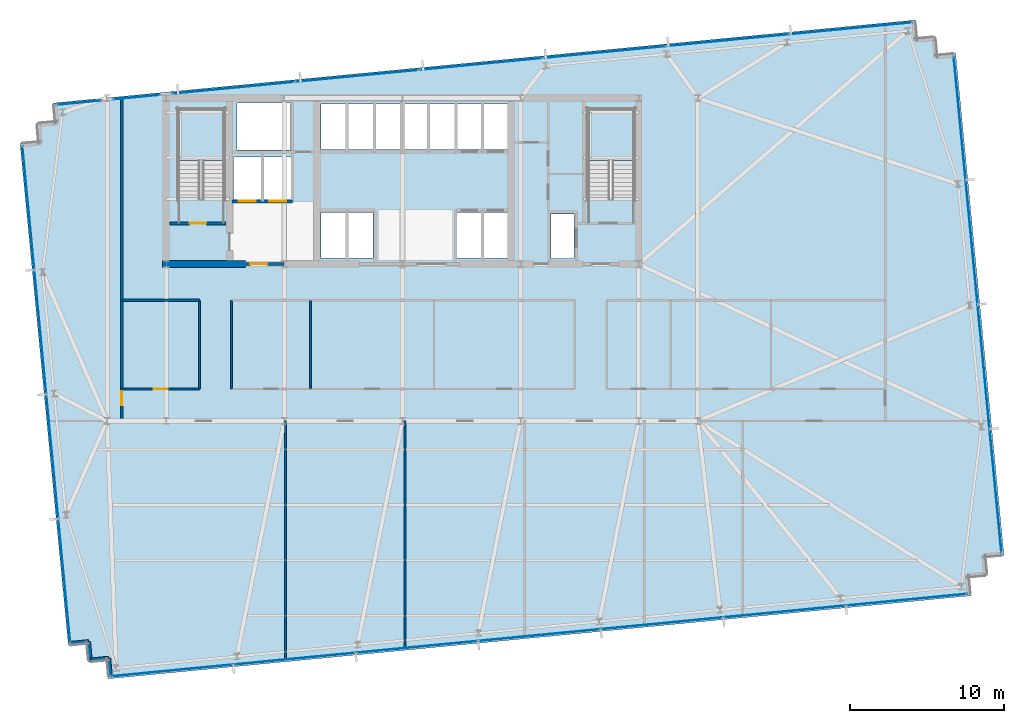
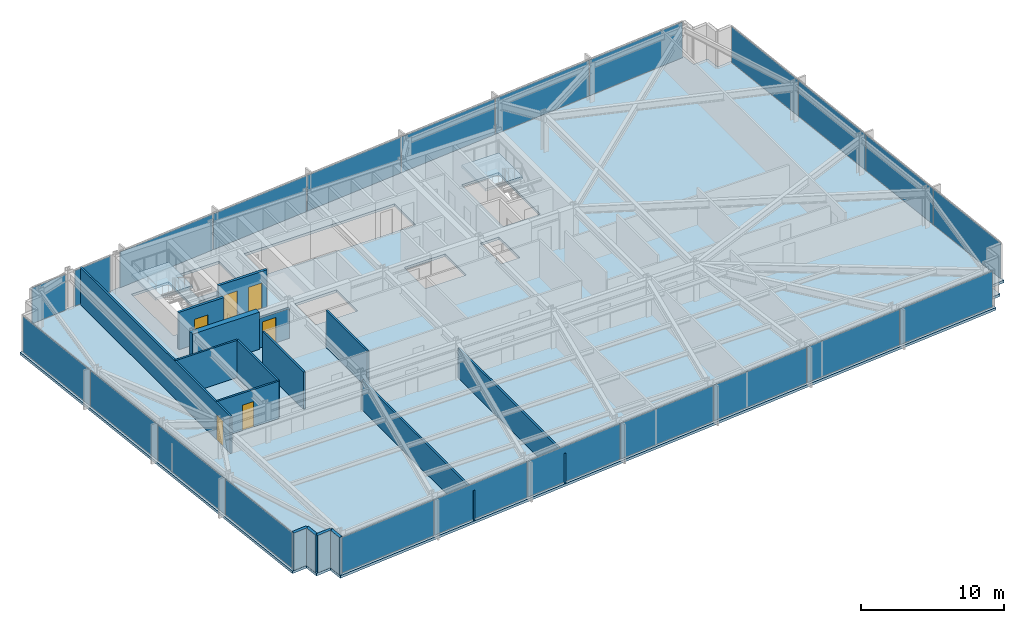
# One storey, part 24 of 32: 23 plates, 16 walls, 6 doors, 3 slabs, 6 openings, 8 elements without a shape of their own.
"""IFC4 building model written with IfcOpenShell, lengths in metres."""

from ifc_helpers import new_model, si_unit, direction, frame, frame_2d, origin, origin_2d, place, context, subcontext, project, spatial, polyline, rectangle, outline, extrude, material, layer, layer_set, type_object, element, fill, aggregate, save


model = new_model("IFC4")

# Units and contexts
model_context = context("Model", 3, precision=1e-05, world=origin(), true_north=direction((0.0, 1.0)))
body_context = subcontext(model_context, "Body", "Model", "MODEL_VIEW")
ifc_project = project(units=[si_unit("LENGTHUNIT", "METRE"), si_unit("AREAUNIT", "SQUARE_METRE"), si_unit("VOLUMEUNIT", "CUBIC_METRE"), si_unit("PLANEANGLEUNIT", "RADIAN"), si_unit("MASSUNIT", "GRAM", prefix="KILO")], contexts=[model_context])

# Site, building, storey
site_placement = place(None, origin())
site = spatial("IfcSite", under=ifc_project, at=site_placement, CompositionType="ELEMENT")
building_placement = place(site_placement, origin())
building = spatial("IfcBuilding", under=site, at=building_placement, Name="Yelkora Congress Tower", CompositionType="ELEMENT")
storey_placement = place(building_placement, frame((0.0, 0.0, 93.10009765625)))
storey = spatial("IfcBuildingStorey", under=building, at=storey_placement, Name="L24", CompositionType="ELEMENT", Elevation=93.10009765625)

# Curtain wall, plates
ifc_material_1 = material(Name="Anodised aluminium and insulated glass", Category="aluminium")
curtain_wall_type = type_object("IfcCurtainWallType", Name="CW-SYS-B2", PredefinedType="NOTDEFINED", material=ifc_material_1)
curtain_wall_1_placement = place(storey_placement, origin())
curtain_wall_1 = element("IfcCurtainWall", 1, at=curtain_wall_1_placement, inside=storey, type_object=curtain_wall_type, Name="L24 Unitised Curtain Wall 5", PredefinedType="NOTDEFINED")
ifc_material_2 = material(Name="Solar-control low-E glass unit B2", Category="glass")
ifc_layer_1 = layer(ifc_material_2, 0.0380859375)
ifc_layer_set_1 = layer_set([ifc_layer_1], Name="Solar-control low-E glass unit B2")
plate_type = type_object("IfcPlateType", Name="PLT-PN-B2", PredefinedType="CURTAIN_PANEL", material=ifc_layer_set_1)
plate_1_placement = place(storey_placement, frame((16.41650390625, 14.820068359375, 0.06494140625), z_axis=(0.0, 0.0, 1.0), x_axis=(-0.095842541913, 0.995396507508, 0.0)))
plate_1 = element("IfcPlate", 2, at=plate_1_placement, type_object=plate_type, Name="CW-B2 panel 1.1", PredefinedType="CURTAIN_PANEL", context=body_context, shape_type="SweptSolid", body=[
    extrude(rectangle(XDim=8.02490234375, YDim=0.0380859375, at=origin_2d()), origin(), (0.0, 0.0, 1.0), 3.050048828125),
])
plate_2_placement = place(storey_placement, frame((15.638916015625, 22.895263671875, 0.06494140625), z_axis=(0.0, 0.0, 1.0), x_axis=(-0.095842541913, 0.995396507508, 0.0)))
plate_2 = element("IfcPlate", 3, at=plate_2_placement, type_object=plate_type, Name="CW-B2 panel 2.1", PredefinedType="CURTAIN_PANEL", context=body_context, shape_type="SweptSolid", body=[
    extrude(rectangle(XDim=8.06005859375, YDim=0.0380859375, at=origin_2d()), origin(), (0.0, 0.0, 1.0), 3.050048828125),
])
plate_3_placement = place(storey_placement, frame((14.859619140625, 30.98779296875, 0.06494140625), z_axis=(0.0, 0.0, 1.0), x_axis=(-0.095842541913, 0.995396507508, 0.0)))
plate_3 = element("IfcPlate", 4, at=plate_3_placement, type_object=plate_type, Name="CW-B2 panel 3.1", PredefinedType="CURTAIN_PANEL", context=body_context, shape_type="SweptSolid", body=[
    extrude(rectangle(XDim=8.06005859375, YDim=0.0380859375, at=origin_2d()), origin(), (0.0, 0.0, 1.0), 3.050048828125),
])
plate_4_placement = place(storey_placement, frame((14.082275390625, 39.06298828125, 0.06494140625), z_axis=(0.0, 0.0, 1.0), x_axis=(-0.095842541913, 0.995396507508, 0.0)))
plate_4 = element("IfcPlate", 5, at=plate_4_placement, type_object=plate_type, Name="CW-B2 panel 4.1", PredefinedType="CURTAIN_PANEL", context=body_context, shape_type="SweptSolid", body=[
    extrude(rectangle(XDim=8.02490234375, YDim=0.0380859375, at=origin_2d()), origin(), (0.0, 0.0, 1.0), 3.050048828125),
])
aggregate(curtain_wall_1, [plate_1, plate_2, plate_3, plate_4])

# Curtain wall, plate
curtain_wall_2_placement = place(storey_placement, origin())
curtain_wall_2 = element("IfcCurtainWall", 6, at=curtain_wall_2_placement, inside=storey, type_object=curtain_wall_type, Name="L24 Unitised Curtain Wall 10 (1)", PredefinedType="NOTDEFINED")
plate_5_placement = place(storey_placement, frame((17.35888671875, 45.89111328125, 0.06494140625), z_axis=(0.0, 0.0, 1.0), x_axis=(0.99539681521, 0.095839346142, 0.0)))
plate_5 = element("IfcPlate", 7, at=plate_5_placement, type_object=plate_type, Name="CW-B2 panel 1.1", PredefinedType="CURTAIN_PANEL", context=body_context, shape_type="SweptSolid", body=[
    extrude(rectangle(XDim=2.89208984375, YDim=0.0380859375, at=origin_2d()), origin(), (0.0, 0.0, 1.0), 3.050048828125),
])
aggregate(curtain_wall_2, [plate_5])

curtain_wall_3_placement = place(storey_placement, origin())
curtain_wall_3 = element("IfcCurtainWall", 8, at=curtain_wall_3_placement, inside=storey, type_object=curtain_wall_type, Name="L24 Unitised Curtain Wall 10 (2)", PredefinedType="NOTDEFINED")
plate_6_placement = place(storey_placement, frame((21.1201171875, 46.253173828125, 0.06494140625), z_axis=(0.0, 0.0, 1.0), x_axis=(0.99539661748, 0.095841399764, 0.0)))
plate_6 = element("IfcPlate", 9, at=plate_6_placement, type_object=plate_type, Name="CW-B2 panel 1.1", PredefinedType="CURTAIN_PANEL", context=body_context, shape_type="SweptSolid", body=[
    extrude(rectangle(XDim=3.05078125, YDim=0.0380859375, at=origin_2d()), origin(), (0.0, 0.0, 1.0), 3.050048828125),
])
aggregate(curtain_wall_3, [plate_6])

# Curtain wall, plates
curtain_wall_4_placement = place(storey_placement, origin())
curtain_wall_4 = element("IfcCurtainWall", 10, at=curtain_wall_4_placement, inside=storey, type_object=curtain_wall_type, Name="L24 Unitised Curtain Wall 10 (3)", PredefinedType="NOTDEFINED")
plate_7_placement = place(storey_placement, frame((27.409423828125, 46.858642578125, 0.06494140625), z_axis=(0.0, 0.0, 1.0), x_axis=(0.995396344153, 0.095844238468, 0.0)))
plate_7 = element("IfcPlate", 11, at=plate_7_placement, type_object=plate_type, Name="CW-B2 panel 1.1", PredefinedType="CURTAIN_PANEL", context=body_context, shape_type="SweptSolid", body=[
    extrude(rectangle(XDim=7.97216796875, YDim=0.0380859375, at=origin_2d()), origin(), (0.0, 0.0, 1.0), 3.050048828125),
])
plate_8_placement = place(storey_placement, frame((35.431884765625, 47.631103515625, 0.06494140625), z_axis=(0.0, 0.0, 1.0), x_axis=(0.995396344153, 0.095844238468, 0.0)))
plate_8 = element("IfcPlate", 12, at=plate_8_placement, type_object=plate_type, Name="CW-B2 panel 2.1", PredefinedType="CURTAIN_PANEL", context=body_context, shape_type="SweptSolid", body=[
    extrude(rectangle(XDim=8.007080078125, YDim=0.0380859375, at=origin_2d()), origin(), (0.0, 0.0, 1.0), 3.050048828125),
])
plate_9_placement = place(storey_placement, frame((43.471923828125, 48.4052734375, 0.06494140625), z_axis=(0.0, 0.0, 1.0), x_axis=(0.995396344153, 0.095844238468, 0.0)))
plate_9 = element("IfcPlate", 13, at=plate_9_placement, type_object=plate_type, Name="CW-B2 panel 3.1", PredefinedType="CURTAIN_PANEL", context=body_context, shape_type="SweptSolid", body=[
    extrude(rectangle(XDim=8.007080078125, YDim=0.0380859375, at=origin_2d()), origin(), (0.0, 0.0, 1.0), 3.050048828125),
])
plate_10_placement = place(storey_placement, frame((51.511962890625, 49.179443359375, 0.06494140625), z_axis=(0.0, 0.0, 1.0), x_axis=(0.995396344153, 0.095844238468, 0.0)))
plate_10 = element("IfcPlate", 14, at=plate_10_placement, type_object=plate_type, Name="CW-B2 panel 4.1", PredefinedType="CURTAIN_PANEL", context=body_context, shape_type="SweptSolid", body=[
    extrude(rectangle(XDim=8.007080078125, YDim=0.0380859375, at=origin_2d()), origin(), (0.0, 0.0, 1.0), 3.050048828125),
])
plate_11_placement = place(storey_placement, frame((59.552001953125, 49.95361328125, 0.06494140625), z_axis=(0.0, 0.0, 1.0), x_axis=(0.995396344153, 0.095844238468, 0.0)))
plate_11 = element("IfcPlate", 15, at=plate_11_placement, type_object=plate_type, Name="CW-B2 panel 5.1", PredefinedType="CURTAIN_PANEL", context=body_context, shape_type="SweptSolid", body=[
    extrude(rectangle(XDim=8.007080078125, YDim=0.0380859375, at=origin_2d()), origin(), (0.0, 0.0, 1.0), 3.050048828125),
])
plate_12_placement = place(storey_placement, frame((67.574462890625, 50.72607421875, 0.06494140625), z_axis=(0.0, 0.0, 1.0), x_axis=(0.995396344153, 0.095844238468, 0.0)))
plate_12 = element("IfcPlate", 16, at=plate_12_placement, type_object=plate_type, Name="CW-B2 panel 6.1", PredefinedType="CURTAIN_PANEL", context=body_context, shape_type="SweptSolid", body=[
    extrude(rectangle(XDim=7.97216796875, YDim=0.0380859375, at=origin_2d()), origin(), (0.0, 0.0, 1.0), 3.050048828125),
])
aggregate(curtain_wall_4, [plate_7, plate_8, plate_9, plate_10, plate_11, plate_12])

curtain_wall_5_placement = place(storey_placement, origin())
curtain_wall_5 = element("IfcCurtainWall", 17, at=curtain_wall_5_placement, inside=storey, type_object=curtain_wall_type, Name="L24 Unitised Curtain Wall 15", PredefinedType="NOTDEFINED")
plate_13_placement = place(storey_placement, frame((74.6220703125, 44.892333984375, 0.06494140625), z_axis=(0.0, 0.0, 1.0), x_axis=(0.095842541913, -0.995396507508, 0.0)))
plate_13 = element("IfcPlate", 18, at=plate_13_placement, type_object=plate_type, Name="CW-B2 panel 1.1", PredefinedType="CURTAIN_PANEL", context=body_context, shape_type="SweptSolid", body=[
    extrude(rectangle(XDim=8.02490234375, YDim=0.0380859375, at=origin_2d()), origin(), (0.0, 0.0, 1.0), 3.050048828125),
])
plate_14_placement = place(storey_placement, frame((75.399658203125, 36.817138671875, 0.06494140625), z_axis=(0.0, 0.0, 1.0), x_axis=(0.095842541913, -0.995396507508, 0.0)))
plate_14 = element("IfcPlate", 19, at=plate_14_placement, type_object=plate_type, Name="CW-B2 panel 2.1", PredefinedType="CURTAIN_PANEL", context=body_context, shape_type="SweptSolid", body=[
    extrude(rectangle(XDim=8.06005859375, YDim=0.0380859375, at=origin_2d()), origin(), (0.0, 0.0, 1.0), 3.050048828125),
])
plate_15_placement = place(storey_placement, frame((76.178955078125, 28.724609375, 0.06494140625), z_axis=(0.0, 0.0, 1.0), x_axis=(0.095842541913, -0.995396507508, 0.0)))
plate_15 = element("IfcPlate", 20, at=plate_15_placement, type_object=plate_type, Name="CW-B2 panel 3.1", PredefinedType="CURTAIN_PANEL", context=body_context, shape_type="SweptSolid", body=[
    extrude(rectangle(XDim=8.06005859375, YDim=0.0380859375, at=origin_2d()), origin(), (0.0, 0.0, 1.0), 3.050048828125),
])
plate_16_placement = place(storey_placement, frame((76.95654296875, 20.6494140625, 0.06494140625), z_axis=(0.0, 0.0, 1.0), x_axis=(0.095842541913, -0.995396507508, 0.0)))
plate_16 = element("IfcPlate", 21, at=plate_16_placement, type_object=plate_type, Name="CW-B2 panel 4.1", PredefinedType="CURTAIN_PANEL", context=body_context, shape_type="SweptSolid", body=[
    extrude(rectangle(XDim=8.02490234375, YDim=0.0380859375, at=origin_2d()), origin(), (0.0, 0.0, 1.0), 3.050048828125),
])
aggregate(curtain_wall_5, [plate_13, plate_14, plate_15, plate_16])

curtain_wall_6_placement = place(storey_placement, origin())
curtain_wall_6 = element("IfcCurtainWall", 22, at=curtain_wall_6_placement, inside=storey, type_object=curtain_wall_type, Name="L24 Unitised Curtain Wall 20", PredefinedType="NOTDEFINED")
plate_17_placement = place(storey_placement, frame((71.1884765625, 13.58154296875, 0.06494140625), z_axis=(0.0, 0.0, 1.0), x_axis=(-0.995396333816, -0.095844345816, 0.0)))
plate_17 = element("IfcPlate", 23, at=plate_17_placement, type_object=plate_type, Name="CW-B2 panel 1.1", PredefinedType="CURTAIN_PANEL", context=body_context, shape_type="SweptSolid", body=[
    extrude(rectangle(XDim=7.89794921875, YDim=0.0380859375, at=origin_2d()), origin(), (0.0, 0.0, 1.0), 3.050048828125),
])
plate_18_placement = place(storey_placement, frame((63.23974609375, 12.816162109375, 0.06494140625), z_axis=(0.0, 0.0, 1.0), x_axis=(-0.995396333816, -0.095844345816, 0.0)))
plate_18 = element("IfcPlate", 24, at=plate_18_placement, type_object=plate_type, Name="CW-B2 panel 2.1", PredefinedType="CURTAIN_PANEL", context=body_context, shape_type="SweptSolid", body=[
    extrude(rectangle(XDim=7.932861328125, YDim=0.0380859375, at=origin_2d()), origin(), (0.0, 0.0, 1.0), 3.050048828125),
])
plate_19_placement = place(storey_placement, frame((55.273681640625, 12.049072265625, 0.06494140625), z_axis=(0.0, 0.0, 1.0), x_axis=(-0.995396333816, -0.095844345816, 0.0)))
plate_19 = element("IfcPlate", 25, at=plate_19_placement, type_object=plate_type, Name="CW-B2 panel 3.1", PredefinedType="CURTAIN_PANEL", context=body_context, shape_type="SweptSolid", body=[
    extrude(rectangle(XDim=7.932861328125, YDim=0.0380859375, at=origin_2d()), origin(), (0.0, 0.0, 1.0), 3.050048828125),
])
plate_20_placement = place(storey_placement, frame((47.307861328125, 11.281982421875, 0.06494140625), z_axis=(0.0, 0.0, 1.0), x_axis=(-0.995396333816, -0.095844345816, 0.0)))
plate_20 = element("IfcPlate", 26, at=plate_20_placement, type_object=plate_type, Name="CW-B2 panel 4.1", PredefinedType="CURTAIN_PANEL", context=body_context, shape_type="SweptSolid", body=[
    extrude(rectangle(XDim=7.932861328125, YDim=0.0380859375, at=origin_2d()), origin(), (0.0, 0.0, 1.0), 3.050048828125),
])
plate_21_placement = place(storey_placement, frame((39.341796875, 10.51513671875, 0.06494140625), z_axis=(0.0, 0.0, 1.0), x_axis=(-0.995396333816, -0.095844345816, 0.0)))
plate_21 = element("IfcPlate", 27, at=plate_21_placement, type_object=plate_type, Name="CW-B2 panel 5.1", PredefinedType="CURTAIN_PANEL", context=body_context, shape_type="SweptSolid", body=[
    extrude(rectangle(XDim=7.932861328125, YDim=0.0380859375, at=origin_2d()), origin(), (0.0, 0.0, 1.0), 3.050048828125),
])
plate_22_placement = place(storey_placement, frame((31.375732421875, 9.748046875, 0.06494140625), z_axis=(0.0, 0.0, 1.0), x_axis=(-0.995396333816, -0.095844345816, 0.0)))
plate_22 = element("IfcPlate", 28, at=plate_22_placement, type_object=plate_type, Name="CW-B2 panel 6.1", PredefinedType="CURTAIN_PANEL", context=body_context, shape_type="SweptSolid", body=[
    extrude(rectangle(XDim=7.932861328125, YDim=0.0380859375, at=origin_2d()), origin(), (0.0, 0.0, 1.0), 3.050048828125),
])
plate_23_placement = place(storey_placement, frame((23.42724609375, 8.982666015625, 0.06494140625), z_axis=(0.0, 0.0, 1.0), x_axis=(-0.995396333816, -0.095844345816, 0.0)))
plate_23 = element("IfcPlate", 29, at=plate_23_placement, type_object=plate_type, Name="CW-B2 panel 7.1", PredefinedType="CURTAIN_PANEL", context=body_context, shape_type="SweptSolid", body=[
    extrude(rectangle(XDim=7.89794921875, YDim=0.0380859375, at=origin_2d()), origin(), (0.0, 0.0, 1.0), 3.050048828125),
])
aggregate(curtain_wall_6, [plate_17, plate_18, plate_19, plate_20, plate_21, plate_22, plate_23])

# Stair, slab
ifc_material_3 = material(Name="Concrete C40/50", Category="concrete")
stair_type = type_object("IfcStairType", Name="STAIR-HT-1420-R20-170", PredefinedType="HALF_TURN_STAIR", material=ifc_material_3)
stair_1_placement = place(storey_placement, origin())
stair_1 = element("IfcStair", 30, at=stair_1_placement, inside=storey, type_object=stair_type, Name="West Core Protected Exit Stair ST-01 (L24)", PredefinedType="HALF_TURN_STAIR")
ifc_layer_2 = layer(ifc_material_3, 0.219970703125)
ifc_layer_set_2 = layer_set([ifc_layer_2], Name="Concrete C40/50")
slab_type_1 = type_object("IfcSlabType", Name="SLAB-LANDING-220", PredefinedType="LANDING", material=ifc_layer_set_2)
slab_1_placement = place(storey_placement, frame((0.0, 0.0, 1.47998046875)))
slab_1 = element("IfcSlab", 31, at=slab_1_placement, type_object=slab_type_1, Name="ST-01 L24 Half Landing 1", PredefinedType="LANDING", context=body_context, shape_type="SweptSolid", body=[
    extrude(outline(polyline([(26.820068359375, 42.1201171875), (26.820068359375, 45.469970703125), (23.820068359375, 45.469970703125), (23.820068359375, 42.1201171875), (26.820068359375, 42.1201171875)])), origin(), (0.0, 0.0, 1.0), 0.219970703125),
])
aggregate(stair_1, [slab_1])

stair_2_placement = place(storey_placement, origin())
stair_2 = element("IfcStair", 32, at=stair_2_placement, inside=storey, type_object=stair_type, Name="East Core Protected Exit Stair ST-02 (L24)", PredefinedType="HALF_TURN_STAIR")
slab_2_placement = place(storey_placement, frame((0.0, 0.0, 1.47998046875)))
slab_2 = element("IfcSlab", 33, at=slab_2_placement, type_object=slab_type_1, Name="ST-02 L24 Half Landing 1", PredefinedType="LANDING", context=body_context, shape_type="SweptSolid", body=[
    extrude(outline(polyline([(53.4599609375, 42.1201171875), (53.4599609375, 45.469970703125), (50.4599609375, 45.469970703125), (50.4599609375, 42.1201171875), (53.4599609375, 42.1201171875)])), origin(), (0.0, 0.0, 1.0), 0.219970703125),
])
aggregate(stair_2, [slab_2])

# Slab
ifc_layer_3 = layer(ifc_material_3, 0.219970703125)
ifc_layer_set_3 = layer_set([ifc_layer_3], Name="Concrete C40/50")
slab_type_2 = type_object("IfcSlabType", Name="SLAB-TWR-220", PredefinedType="FLOOR", material=ifc_layer_set_3)
slab_3_placement = place(storey_placement, frame((0.0, 0.0, -0.22021484375)))
element("IfcSlab", 34, at=slab_3_placement, inside=storey, type_object=slab_type_2, Name="L24 Structural Floor Slab", PredefinedType="FLOOR", context=body_context, shape_type="SweptSolid", body=[
    extrude(outline(polyline([(19.30078125, 8.444580078125), (75.341552734375, 13.8408203125), (75.2265625, 15.035400390625), (76.421142578125, 15.150390625), (76.30615234375, 16.3447265625), (77.50048828125, 16.459716796875), (74.356689453125, 49.10888671875), (73.162353515625, 48.99365234375), (73.04736328125, 50.188232421875), (71.852783203125, 50.0732421875), (71.73779296875, 51.267578125), (15.697021484375, 45.87158203125), (15.81201171875, 44.677001953125), (14.61767578125, 44.56201171875), (14.732666015625, 43.36767578125), (13.5380859375, 43.252685546875), (16.681884765625, 10.603515625), (17.876220703125, 10.718505859375), (17.9912109375, 9.524169921875), (19.185791015625, 9.63916015625), (19.30078125, 8.444580078125)]), holes=[polyline([(23.820068359375, 39.6298828125), (26.820068359375, 39.6298828125), (26.820068359375, 45.469970703125), (23.820068359375, 45.469970703125), (23.820068359375, 39.6298828125)]), polyline([(50.4599609375, 39.6298828125), (53.4599609375, 39.6298828125), (53.4599609375, 45.469970703125), (50.4599609375, 45.469970703125), (50.4599609375, 39.6298828125)]), polyline([(48.050048828125, 35.75), (49.550048828125, 35.75), (49.550048828125, 38.64990234375), (48.050048828125, 38.64990234375), (48.050048828125, 35.75)]), polyline([(41.949951171875, 35.800048828125), (45.25, 35.800048828125), (45.25, 38.75), (41.949951171875, 38.75), (41.949951171875, 35.800048828125)]), polyline([(33.10009765625, 42.85009765625), (45.25, 42.85009765625), (45.25, 45.800048828125), (33.10009765625, 45.800048828125), (33.10009765625, 42.85009765625)]), polyline([(33.10009765625, 35.800048828125), (36.5, 35.800048828125), (36.5, 38.75), (33.10009765625, 38.75), (33.10009765625, 35.800048828125)]), polyline([(27.419921875, 39.60009765625), (31.179931640625, 39.60009765625), (31.179931640625, 42.35009765625), (27.419921875, 42.35009765625), (27.419921875, 39.60009765625)]), polyline([(27.64990234375, 42.820068359375), (31.1201171875, 42.820068359375), (31.1201171875, 45.8798828125), (27.64990234375, 45.8798828125), (27.64990234375, 42.820068359375)])]), origin(), (0.0, 0.0, 1.0), 0.22021484375),
])

# Walls
ifc_material_4 = material(Name="Concrete C60/75", Category="concrete")
ifc_layer_4 = layer(ifc_material_4, 0.449951171875)
ifc_layer_set_4 = layer_set([ifc_layer_4], Name="Concrete C60/75")
wall_type_1 = type_object("IfcWallType", Name="WALL-CORE-INT-450", PredefinedType="SHEAR", material=ifc_layer_set_4)
wall_1_placement = place(storey_placement, frame((22.81494140625, 35.39990234375, 0.0), z_axis=(0.0, 0.0, 1.0), x_axis=(1.0, 0.0, 0.0)))
element("IfcWall", 35, at=wall_1_placement, inside=storey, type_object=wall_type_1, Name="L24 Rear Core South-West Shear Wall", PredefinedType="SHEAR", context=body_context, shape_type="SweptSolid", body=[
    extrude(rectangle(XDim=5.385009765625, YDim=0.449951171875, at=frame_2d((2.6923828125, 0.0))), origin(), (0.0, 0.0, 1.0), 3.179931640625),
])
ifc_layer_5 = layer(ifc_material_3, 0.239990234375)
ifc_layer_set_5 = layer_set([ifc_layer_5], Name="Concrete C40/50")
wall_type_2 = type_object("IfcWallType", Name="WALL-EXT-LIMESTONE-240", PredefinedType="SOLIDWALL", material=ifc_layer_set_5)
for number, where, z_axis, x_axis, name in (
    (36, (19.4267578125, 8.597412109375, 0.0), (0.0, 0.0, 1.0), (-0.095817067274, 0.995398960025, 0.0), "L24 Serrated Corner Limestone Pier 1"),
    (37, (19.311767578125, 9.7919921875, 0.0), (0.0, 0.0, 1.0), (-0.995398960025, -0.095817067274, 0.0), "L24 Serrated Corner Limestone Pier 2"),
):
    element("IfcWall", number, at=place(storey_placement, frame(where, z_axis=z_axis, x_axis=x_axis)), inside=storey, type_object=wall_type_2, Name=name, PredefinedType="SOLIDWALL", context=body_context, shape_type="SweptSolid", body=[
        extrude(rectangle(XDim=1.2001953125, YDim=0.239990234375, at=frame_2d((0.60009765625, 0.0))), origin(), (0.0, 0.0, 1.0), 3.179931640625),
    ])
wall_2_placement = place(storey_placement, frame((18.1171875, 9.677001953125, 0.0), z_axis=(0.0, 0.0, 1.0), x_axis=(-0.095836473879, 0.995397091755, 0.0)))
element("IfcWall", 38, at=wall_2_placement, inside=storey, type_object=wall_type_2, Name="L24 Serrated Corner Limestone Pier 3", PredefinedType="SOLIDWALL", context=body_context, shape_type="SweptSolid", body=[
    extrude(rectangle(XDim=1.199951171875, YDim=0.239990234375, at=frame_2d((0.60009765625, 0.0))), origin(), (0.0, 0.0, 1.0), 3.179931640625),
])
wall_3_placement = place(storey_placement, frame((18.002197265625, 10.871337890625, 0.0), z_axis=(0.0, 0.0, 1.0), x_axis=(-0.995398960025, -0.095817067274, 0.0)))
element("IfcWall", 39, at=wall_3_placement, inside=storey, type_object=wall_type_2, Name="L24 Serrated Corner Limestone Pier 4", PredefinedType="SOLIDWALL", context=body_context, shape_type="SweptSolid", body=[
    extrude(rectangle(XDim=1.2001953125, YDim=0.239990234375, at=frame_2d((0.60009765625, 0.0))), origin(), (0.0, 0.0, 1.0), 3.179931640625),
])
ifc_material_5 = material(Name="Acoustic metal-stud gypsum partition", Category="gypsum")
ifc_layer_6 = layer(ifc_material_5, 0.14990234375)
ifc_layer_set_6 = layer_set([ifc_layer_6], Name="Acoustic metal-stud gypsum partition")
wall_type_3 = type_object("IfcWallType", Name="WALL-INT-150-NR", PredefinedType="PARTITIONING", material=ifc_layer_set_6)
wall_4_placement = place(storey_placement, frame((30.7939453125, 9.631591796875, 0.0), z_axis=(0.0, 0.0, 1.0), x_axis=(0.0, 1.0, 0.0)))
element("IfcWall", 40, at=wall_4_placement, inside=storey, type_object=wall_type_3, Name="L24 Partition Wall 31", PredefinedType="PARTITIONING", context=body_context, shape_type="SweptSolid", body=[
    extrude(rectangle(XDim=15.58837890625, YDim=0.14990234375, at=frame_2d((7.794189453125, 0.0))), origin(), (0.0, 0.0, 1.0), 2.52490234375),
])
wall_5_placement = place(storey_placement, frame((38.56689453125, 10.380126953125, 0.0), z_axis=(0.0, 0.0, 1.0), x_axis=(0.0, 1.0, 0.0)))
element("IfcWall", 41, at=wall_5_placement, inside=storey, type_object=wall_type_3, Name="L24 Partition Wall 32", PredefinedType="PARTITIONING", context=body_context, shape_type="SweptSolid", body=[
    extrude(rectangle(XDim=14.83984375, YDim=0.14990234375, at=frame_2d((7.419921875, 0.0))), origin(), (0.0, 0.0, 1.0), 2.52490234375),
])

# Wall, opening, door
wall_6_placement = place(storey_placement, frame((20.156982421875, 25.199951171875, 0.0), z_axis=(0.0, 0.0, 1.0), x_axis=(0.0, 1.0, 0.0)))
wall_6 = element("IfcWall", 42, at=wall_6_placement, inside=storey, type_object=wall_type_3, Name="L24 Partition Wall 37", PredefinedType="PARTITIONING", context=body_context, shape_type="SweptSolid", body=[
    extrude(rectangle(XDim=21.020751953125, YDim=0.14990234375, at=frame_2d((10.51025390625, 0.0))), origin(), (0.0, 0.0, 1.0), 3.179931640625),
])
opening_1_placement = place(wall_6_placement, frame((1.030029296875, 0.0, 0.0)))
opening_1 = element("IfcOpeningElement", 43, at=opening_1_placement, cuts=wall_6, Name="Opening DR-090N", PredefinedType="OPENING", context=body_context, shape_type="SweptSolid", body=[
    extrude(rectangle(XDim=0.89990234375, YDim=2.14990234375, at=frame_2d((0.449951171875, 1.074951171875))), frame((0.0, 0.0849609375, 0.0), z_axis=(0.0, -1.0, 0.0), x_axis=(1.0, 0.0, 0.0)), (0.0, 0.0, 1.0), 0.169921875),
])
ifc_material_6 = material(Name="Moisture-resistant laminate door leaf", Category="wood")
door_type_1 = type_object("IfcDoorType", Name="DOOR-INT-900", OperationType="NOTDEFINED", PredefinedType="DOOR", material=ifc_material_6)
door_1_placement = place(opening_1_placement, origin())
door_1 = element("IfcDoor", 44, at=door_1_placement, inside=storey, type_object=door_type_1, Name="L24 W Wing Door", OperationType="SINGLE_SWING_LEFT", OverallHeight=2.14990234375, OverallWidth=0.89990234375, PredefinedType="DOOR", context=body_context, shape_type="SweptSolid", body=[
    extrude(rectangle(XDim=0.89990234375, YDim=2.14990234375, at=frame_2d((0.449951171875, 1.074951171875))), frame((0.0, 0.02490234375, 0.0), z_axis=(0.0, -1.0, 0.0), x_axis=(1.0, 0.0, 0.0)), (0.0, 0.0, 1.0), 0.050048828125),
])
fill(opening_1, door_1)

# Walls
for number, where, z_axis, x_axis, name in (
    (45, (25.199951171875, 27.280029296875, 0.0), (0.0, 0.0, 1.0), (0.0, 1.0, 0.0), "L24 Partition Wall 39"),
    (46, (27.280029296875, 27.280029296875, 0.0), (0.0, 0.0, 1.0), (0.0, 1.0, 0.0), "L24 Partition Wall 40"),
):
    element("IfcWall", number, at=place(storey_placement, frame(where, z_axis=z_axis, x_axis=x_axis)), inside=storey, type_object=wall_type_3, Name=name, PredefinedType="PARTITIONING", context=body_context, shape_type="SweptSolid", body=[
        extrude(rectangle(XDim=5.77001953125, YDim=0.14990234375, at=frame_2d((2.885009765625, 0.0))), origin(), (0.0, 0.0, 1.0), 3.179931640625),
    ])
wall_7_placement = place(storey_placement, frame((20.156982421875, 33.050048828125, 0.0), z_axis=(0.0, 0.0, 1.0), x_axis=(1.0, 0.0, 0.0)))
element("IfcWall", 47, at=wall_7_placement, inside=storey, type_object=wall_type_3, Name="L24 Partition Wall 43", PredefinedType="PARTITIONING", context=body_context, shape_type="SweptSolid", body=[
    extrude(rectangle(XDim=5.04296875, YDim=0.14990234375, at=frame_2d((2.521484375, 0.0))), origin(), (0.0, 0.0, 1.0), 3.179931640625),
])

# Wall, opening, door
wall_8_placement = place(storey_placement, frame((20.177001953125, 27.280029296875, 0.0), z_axis=(0.0, 0.0, 1.0), x_axis=(1.0, 0.0, 0.0)))
wall_8 = element("IfcWall", 48, at=wall_8_placement, inside=storey, type_object=wall_type_3, Name="L24 Partition Wall 46", PredefinedType="PARTITIONING", context=body_context, shape_type="SweptSolid", body=[
    extrude(rectangle(XDim=5.012939453125, YDim=0.14990234375, at=frame_2d((2.50634765625, 0.0))), origin(), (0.0, 0.0, 1.0), 3.179931640625),
])
opening_2_placement = place(wall_8_placement, frame((2.056396484375, 0.0, 0.0)))
opening_2 = element("IfcOpeningElement", 49, at=opening_2_placement, cuts=wall_8, Name="Opening DR-090N", PredefinedType="OPENING", context=body_context, shape_type="SweptSolid", body=[
    extrude(rectangle(XDim=0.89990234375, YDim=2.14990234375, at=frame_2d((0.449951171875, 1.074951171875))), frame((0.0, 0.0849609375, 0.0), z_axis=(0.0, -1.0, 0.0), x_axis=(1.0, 0.0, 0.0)), (0.0, 0.0, 1.0), 0.169921875),
])
door_2_placement = place(opening_2_placement, origin())
door_2 = element("IfcDoor", 50, at=door_2_placement, inside=storey, type_object=door_type_1, Name="L24 Executive Boardroom Door", OperationType="SINGLE_SWING_LEFT", OverallHeight=2.14990234375, OverallWidth=0.89990234375, PredefinedType="DOOR", context=body_context, shape_type="SweptSolid", body=[
    extrude(rectangle(XDim=0.89990234375, YDim=2.14990234375, at=frame_2d((0.449951171875, 1.074951171875))), frame((0.0, 0.02490234375, 0.0), z_axis=(0.0, -1.0, 0.0), x_axis=(1.0, 0.0, 0.0)), (0.0, 0.0, 1.0), 0.050048828125),
])
fill(opening_2, door_2)

# Wall
wall_9_placement = place(storey_placement, frame((32.4189453125, 27.280029296875, 0.0), z_axis=(0.0, 0.0, 1.0), x_axis=(0.0, 1.0, 0.0)))
element("IfcWall", 51, at=wall_9_placement, inside=storey, type_object=wall_type_3, Name="L24 Partition Wall 47", PredefinedType="PARTITIONING", context=body_context, shape_type="SweptSolid", body=[
    extrude(rectangle(XDim=5.77001953125, YDim=0.14990234375, at=frame_2d((2.885009765625, 0.0))), origin(), (0.0, 0.0, 1.0), 3.179931640625),
])

# Wall, opening, door
ifc_material_7 = material(Name="Autoclaved aerated concrete blockwork", Category="masonry")
ifc_layer_7 = layer(ifc_material_7, 0.199951171875)
ifc_layer_set_7 = layer_set([ifc_layer_7], Name="Autoclaved aerated concrete blockwork")
wall_type_4 = type_object("IfcWallType", Name="WALL-INT-200-R120", PredefinedType="PARTITIONING", material=ifc_layer_set_7)
wall_10_placement = place(storey_placement, frame((23.300048828125, 38.050048828125, 0.0), z_axis=(0.0, 0.0, 1.0), x_axis=(1.0, 0.0, 0.0)))
wall_10 = element("IfcWall", 52, at=wall_10_placement, inside=storey, type_object=wall_type_4, Name="L24 Stair ST-01 Enclosure Wall", PredefinedType="PARTITIONING", context=body_context, shape_type="SweptSolid", body=[
    extrude(rectangle(XDim=3.619873046875, YDim=0.199951171875, at=frame_2d((1.81005859375, 0.0))), origin(), (0.0, 0.0, 1.0), 3.179931640625),
])
opening_3_placement = place(wall_10_placement, frame((1.260009765625, 0.0, 0.0)))
opening_3 = element("IfcOpeningElement", 53, at=opening_3_placement, cuts=wall_10, Name="Opening DR-110F9", PredefinedType="OPENING", context=body_context, shape_type="SweptSolid", body=[
    extrude(rectangle(XDim=1.10009765625, YDim=2.14990234375, at=frame_2d((0.550048828125, 1.074951171875))), frame((0.0, 0.10986328125, 0.0), z_axis=(0.0, -1.0, 0.0), x_axis=(1.0, 0.0, 0.0)), (0.0, 0.0, 1.0), 0.219970703125),
])
ifc_material_8 = material(Name="Galvanised steel fire door leaf", Category="steel")
door_type_2 = type_object("IfcDoorType", Name="DOOR-FD90-1100", OperationType="NOTDEFINED", PredefinedType="DOOR", material=ifc_material_8)
door_3_placement = place(opening_3_placement, origin())
door_3 = element("IfcDoor", 54, at=door_3_placement, inside=storey, type_object=door_type_2, Name="L24 Stair ST-01 Entry Door", OperationType="SINGLE_SWING_LEFT", OverallHeight=2.14990234375, OverallWidth=1.10009765625, PredefinedType="DOOR", context=body_context, shape_type="SweptSolid", body=[
    extrude(rectangle(XDim=1.10009765625, YDim=2.14990234375, at=frame_2d((0.550048828125, 1.074951171875))), frame((0.0, 0.02490234375, 0.0), z_axis=(0.0, -1.0, 0.0), x_axis=(1.0, 0.0, 0.0)), (0.0, 0.0, 1.0), 0.050048828125),
])
fill(opening_3, door_3)

wall_11_placement = place(storey_placement, frame((28.219970703125, 35.39990234375, 0.0), z_axis=(0.0, 0.0, 1.0), x_axis=(1.0, 0.0, 0.0)))
wall_11 = element("IfcWall", 55, at=wall_11_placement, inside=storey, type_object=wall_type_4, Name="L24 Firefighting Lobby South Wall", PredefinedType="PARTITIONING", context=body_context, shape_type="SweptSolid", body=[
    extrude(rectangle(XDim=2.5, YDim=0.199951171875, at=frame_2d((1.25, 0.0))), origin(), (0.0, 0.0, 1.0), 2.52490234375),
])
opening_4_placement = place(wall_11_placement, frame((0.300048828125, 0.0, 0.0)))
opening_4 = element("IfcOpeningElement", 56, at=opening_4_placement, cuts=wall_11, Name="Opening DR-110F9", PredefinedType="OPENING", context=body_context, shape_type="SweptSolid", body=[
    extrude(rectangle(XDim=1.10009765625, YDim=2.14990234375, at=frame_2d((0.550048828125, 1.074951171875))), frame((0.0, 0.10986328125, 0.0), z_axis=(0.0, -1.0, 0.0), x_axis=(1.0, 0.0, 0.0)), (0.0, 0.0, 1.0), 0.219970703125),
])
door_4_placement = place(opening_4_placement, origin())
door_4 = element("IfcDoor", 57, at=door_4_placement, inside=storey, type_object=door_type_2, Name="L24 Firefighting Lobby Corridor Door", OperationType="SINGLE_SWING_RIGHT", OverallHeight=2.14990234375, OverallWidth=1.10009765625, PredefinedType="DOOR", context=body_context, shape_type="SweptSolid", body=[
    extrude(rectangle(XDim=1.10009765625, YDim=2.14990234375, at=frame_2d((0.550048828125, 1.074951171875))), frame((0.0, 0.02490234375, 0.0), z_axis=(0.0, -1.0, 0.0), x_axis=(1.0, 0.0, 0.0)), (0.0, 0.0, 1.0), 0.050048828125),
])
fill(opening_4, door_4)

# Wall, openings, doors
wall_12_placement = place(storey_placement, frame((27.320068359375, 39.47998046875, 0.0), z_axis=(0.0, 0.0, 1.0), x_axis=(1.0, 0.0, 0.0)))
wall_12 = element("IfcWall", 58, at=wall_12_placement, inside=storey, type_object=wall_type_4, Name="L24 Firefighting Lift Front Wall", PredefinedType="PARTITIONING", context=body_context, shape_type="SweptSolid", body=[
    extrude(rectangle(XDim=3.93994140625, YDim=0.199951171875, at=frame_2d((1.969970703125, 0.0))), origin(), (0.0, 0.0, 1.0), 3.179931640625),
])
opening_5_placement = place(wall_12_placement, frame((0.449951171875, 0.0, 0.0)))
opening_5 = element("IfcOpeningElement", 59, at=opening_5_placement, cuts=wall_12, Name="Opening LD-FF11", PredefinedType="OPENING", context=body_context, shape_type="SweptSolid", body=[
    extrude(rectangle(XDim=1.10009765625, YDim=2.199951171875, at=frame_2d((0.550048828125, 1.10009765625))), frame((0.0, 0.10986328125, 0.0), z_axis=(0.0, -1.0, 0.0), x_axis=(1.0, 0.0, 0.0)), (0.0, 0.0, 1.0), 0.219970703125),
])
opening_6_placement = place(wall_12_placement, frame((2.409912109375, 0.0, 0.0)))
opening_6 = element("IfcOpeningElement", 60, at=opening_6_placement, cuts=wall_12, Name="Opening LD-FF11", PredefinedType="OPENING", context=body_context, shape_type="SweptSolid", body=[
    extrude(rectangle(XDim=1.10009765625, YDim=2.199951171875, at=frame_2d((0.550048828125, 1.10009765625))), frame((0.0, 0.10986328125, 0.0), z_axis=(0.0, -1.0, 0.0), x_axis=(1.0, 0.0, 0.0)), (0.0, 0.0, 1.0), 0.219970703125),
])
ifc_material_9 = material(Name="Brushed stainless steel 316L landing door", Category="steel")
door_type_3 = type_object("IfcDoorType", Name="DOOR-LIFT-FF-1100", OperationType="DOUBLE_DOOR_SLIDING", PredefinedType="DOOR", material=ifc_material_9)
door_5_placement = place(opening_5_placement, origin())
door_5 = element("IfcDoor", 61, at=door_5_placement, inside=storey, type_object=door_type_3, Name="Lift Landing Door LF-FF1 L24", OperationType="DOUBLE_DOOR_SLIDING", OverallHeight=2.199951171875, OverallWidth=1.10009765625, PredefinedType="DOOR", context=body_context, shape_type="SweptSolid", body=[
    extrude(rectangle(XDim=1.10009765625, YDim=2.199951171875, at=frame_2d((0.550048828125, 1.10009765625))), frame((0.0, 0.02490234375, 0.0), z_axis=(0.0, -1.0, 0.0), x_axis=(1.0, 0.0, 0.0)), (0.0, 0.0, 1.0), 0.050048828125),
])
fill(opening_5, door_5)
door_6_placement = place(opening_6_placement, origin())
door_6 = element("IfcDoor", 62, at=door_6_placement, inside=storey, type_object=door_type_3, Name="Lift Landing Door LF-FF2 L24", OperationType="DOUBLE_DOOR_SLIDING", OverallHeight=2.199951171875, OverallWidth=1.10009765625, PredefinedType="DOOR", context=body_context, shape_type="SweptSolid", body=[
    extrude(rectangle(XDim=1.10009765625, YDim=2.199951171875, at=frame_2d((0.550048828125, 1.10009765625))), frame((0.0, 0.02490234375, 0.0), z_axis=(0.0, -1.0, 0.0), x_axis=(1.0, 0.0, 0.0)), (0.0, 0.0, 1.0), 0.050048828125),
])
fill(opening_6, door_6)

save(model, "model.ifc")
